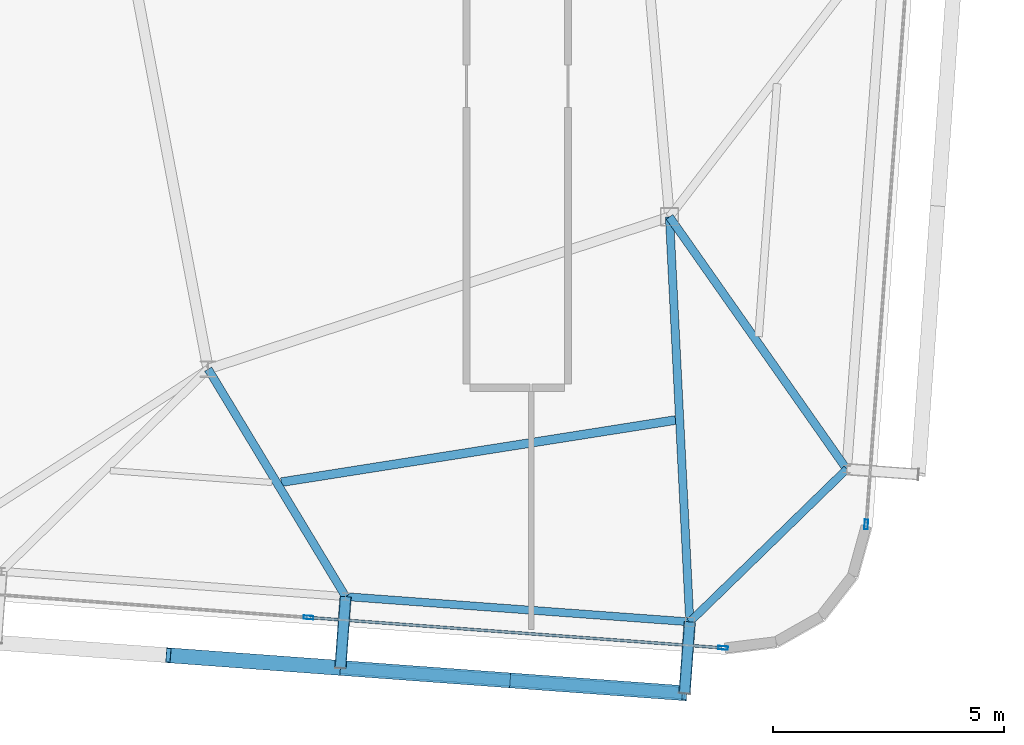
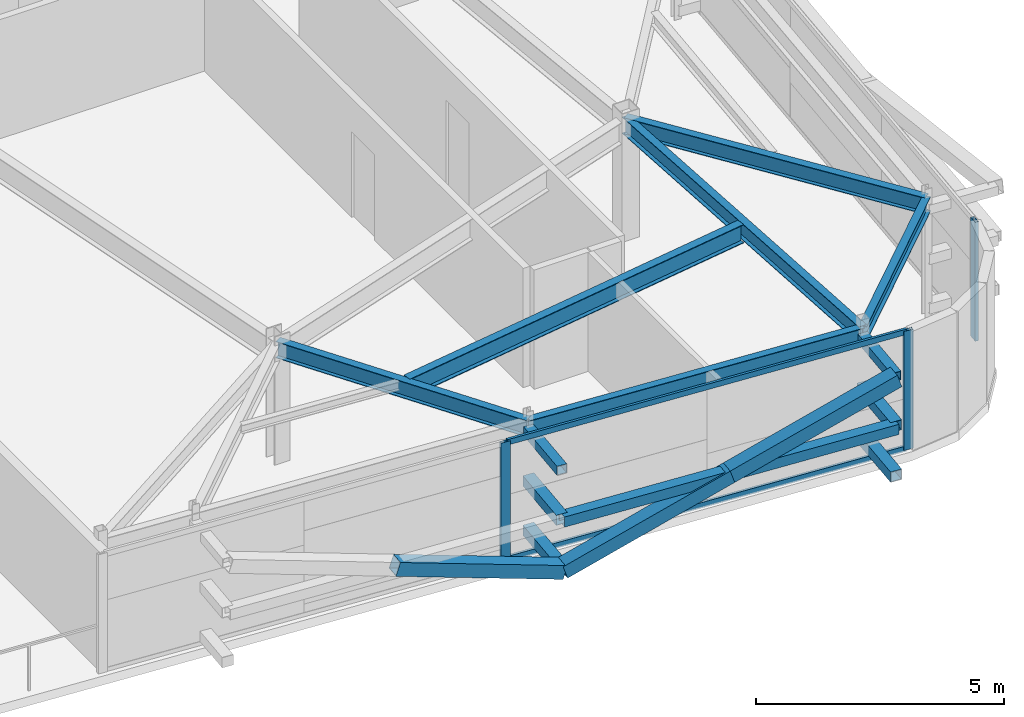
# One storey, part 16 of 36: 15 members, 6 beams, 2 elements without a shape of their own.
"""IFC4 building model written with IfcOpenShell, lengths in metres."""

from ifc_helpers import new_model, si_unit, direction, frame, origin, origin_2d, place, context, subcontext, project, spatial, hollow_rectangle, i_section, extrude, source, transform, mapped, material, layer, layer_set, material_profile, profile_set, type_object, element, aggregate, save


model = new_model("IFC4")

# Units and contexts
model_context = context("Model", 3, precision=1e-05, world=origin(), true_north=direction((0.0, 1.0)))
body_context = subcontext(model_context, "Body", "Model", "MODEL_VIEW")
ifc_project = project(units=[si_unit("LENGTHUNIT", "METRE"), si_unit("AREAUNIT", "SQUARE_METRE"), si_unit("VOLUMEUNIT", "CUBIC_METRE"), si_unit("PLANEANGLEUNIT", "RADIAN"), si_unit("MASSUNIT", "GRAM", prefix="KILO")], contexts=[model_context])

# Site, building, storey
site_placement = place(None, origin())
site = spatial("IfcSite", under=ifc_project, at=site_placement, CompositionType="ELEMENT")
building_placement = place(site_placement, origin())
building = spatial("IfcBuilding", under=site, at=building_placement, Name="Taldren Reach Tower", CompositionType="ELEMENT")
storey_placement = place(building_placement, frame((0.0, 0.0, 227.14990234375)))
storey = spatial("IfcBuildingStorey", under=building, at=storey_placement, Name="L69", CompositionType="ELEMENT", Elevation=227.14990234375)

# Members
ifc_material_1 = material(Name="Steel Gr 350 (C350L0)", Category="steel")
ifc_material_profile_1 = material_profile(ifc_material_1, hollow_rectangle(XDim=0.25, YDim=0.25, WallThickness=0.010009765625, at=origin_2d()), Name="250x250x10.0SHS")
ifc_profile_set_1 = profile_set([ifc_material_profile_1], Name="Steel Gr 350 (C350L0)")
member_type_1 = type_object("IfcMemberType", Name="MB-POST250", PredefinedType="POST", material=ifc_profile_set_1)
shared_shape_1 = source(origin(), body_context, "Body", "SweptSolid", [
    extrude(hollow_rectangle(XDim=0.25, YDim=0.25, WallThickness=0.010009765625, at=origin_2d()), origin(), (0.0, 0.0, 1.0), 1.550048828125),
])
for number, where, z_axis, x_axis, name in (
    (1, (44.980224609375, 4.26904296875, 0.22021484375), (-0.07323929162, -0.997314396849, 0.0), (0.997314396849, -0.07323929162, 0.0), "Exoskeleton base diaphragm tie strut B5-S5 L69"),
    (2, (52.440185546875, 3.72119140625, 0.22021484375), (-0.07323929162, -0.997314396849, 0.0), (0.997314396849, -0.07323929162, 0.0), "Exoskeleton base diaphragm tie strut B5-S6 L69"),
    (3, (44.980224609375, 4.26904296875, 1.43505859375), (-0.07323929162, -0.997314396849, 0.0), (0.997314396849, -0.07323929162, 0.0), "Exoskeleton mid-tier diaphragm tie B5-S5 L69"),
    (4, (52.440185546875, 3.72119140625, 1.43505859375), (-0.07323929162, -0.997314396849, 0.0), (0.997314396849, -0.07323929162, 0.0), "Exoskeleton mid-tier diaphragm tie B5-S6 L69"),
):
    element("IfcMember", number, at=place(storey_placement, frame(where, z_axis=z_axis, x_axis=x_axis)), inside=storey, type_object=member_type_1, Name=name, PredefinedType="POST", context=body_context, shape_type="MappedRepresentation", body=[
        mapped(shared_shape_1, transform((0.0, 0.0, 0.0), scale=1.0)),
    ])
ifc_material_2 = material(Name="Steel Gr 450 (C450L0)", Category="steel")
ifc_material_profile_2 = material_profile(ifc_material_2, hollow_rectangle(XDim=0.219970703125, YDim=0.219970703125, WallThickness=0.00830078125, at=origin_2d()), Name="220x220x8.2SHS")
ifc_profile_set_2 = profile_set([ifc_material_profile_2], Name="Steel Gr 450 (C450L0)")
member_type_2 = type_object("IfcMemberType", Name="MB-TIE219", PredefinedType="STRUT", material=ifc_profile_set_2)
shared_shape_2 = source(origin(), body_context, "Body", "SweptSolid", [
    extrude(hollow_rectangle(XDim=0.219970703125, YDim=0.219970703125, WallThickness=0.00830078125, at=origin_2d()), origin(), (0.0, 0.0, 1.0), 1.550048828125),
])
for number, where, z_axis, x_axis, name in (
    (5, (44.980224609375, 4.26904296875, 2.650146484375), (-0.07323929162, -0.997314396849, 0.0), (0.997314396849, -0.07323929162, 0.0), "Exoskeleton diaphragm tie strut B5-S5 L69"),
    (6, (52.440185546875, 3.72119140625, 2.650146484375), (-0.07323929162, -0.997314396849, 0.0), (0.997314396849, -0.07323929162, 0.0), "Exoskeleton diaphragm tie strut B5-S6 L69"),
):
    element("IfcMember", number, at=place(storey_placement, frame(where, z_axis=z_axis, x_axis=x_axis)), inside=storey, type_object=member_type_2, Name=name, PredefinedType="STRUT", context=body_context, shape_type="MappedRepresentation", body=[
        mapped(shared_shape_2, transform((0.0, 0.0, 0.0), scale=1.0)),
    ])

# Beams
ifc_material_3 = material(Name="Steel Gr 350 (350PLUS)", Category="steel")
ifc_material_profile_3 = material_profile(ifc_material_3, i_section(OverallWidth=0.172119140625, OverallDepth=0.35888671875, WebThickness=0.008056640625, FlangeThickness=0.012939453125, at=origin_2d()), Name="360UB56.7")
ifc_profile_set_3 = profile_set([ifc_material_profile_3], Name="Steel Gr 350 (350PLUS)")
beam_type_1 = type_object("IfcBeamType", Name="SP-UB360", PredefinedType="SPANDREL", material=ifc_profile_set_3)
shared_shape_3 = source(origin(), body_context, "Body", "SweptSolid", [
    extrude(i_section(OverallWidth=0.172119140625, OverallDepth=0.35888671875, WebThickness=0.008056640625, FlangeThickness=0.012939453125, at=origin_2d()), origin(), (0.0, 0.0, 1.0), 7.47998046875),
])
beam_1_placement = place(storey_placement, frame((44.980224609375, 4.26904296875, 2.75048828125), z_axis=(0.997314220642, -0.07324169103, 0.0), x_axis=(0.07324169103, 0.997314220642, 0.0)))
element("IfcBeam", 7, at=beam_1_placement, inside=storey, type_object=beam_type_1, Name="Perimeter spandrel B5 S5-S6 L69", PredefinedType="SPANDREL", context=body_context, shape_type="MappedRepresentation", body=[
    mapped(shared_shape_3, transform((0.0, 0.0, 0.0), scale=1.0)),
])
shared_shape_4 = source(origin(), body_context, "Body", "SweptSolid", [
    extrude(i_section(OverallWidth=0.172119140625, OverallDepth=0.35888671875, WebThickness=0.008056640625, FlangeThickness=0.012939453125, at=origin_2d()), origin(), (0.0, 0.0, 1.0), 4.74609375),
])
beam_2_placement = place(storey_placement, frame((52.440185546875, 3.72119140625, 2.75048828125), z_axis=(0.716711338436, 0.697369957309, 0.0), x_axis=(-0.697369957309, 0.716711338436, 0.0)))
element("IfcBeam", 8, at=beam_2_placement, inside=storey, type_object=beam_type_1, Name="Perimeter spandrel B5 S6-E1 L69", PredefinedType="SPANDREL", context=body_context, shape_type="MappedRepresentation", body=[
    mapped(shared_shape_4, transform((0.0, 0.0, 0.0), scale=1.0)),
])
ifc_material_profile_4 = material_profile(ifc_material_3, i_section(OverallWidth=0.177978515625, OverallDepth=0.406005859375, WebThickness=0.0078125, FlangeThickness=0.0126953125, at=origin_2d()), Name="410UB59.7")
ifc_profile_set_4 = profile_set([ifc_material_profile_4], Name="Steel Gr 350 (350PLUS)")
beam_type_2 = type_object("IfcBeamType", Name="BM-UB410", PredefinedType="BEAM", material=ifc_profile_set_4)
shared_shape_5 = source(origin(), body_context, "Body", "SweptSolid", [
    extrude(i_section(OverallWidth=0.177978515625, OverallDepth=0.406005859375, WebThickness=0.0078125, FlangeThickness=0.0126953125, at=origin_2d()), origin(), (0.0, 0.0, 1.0), 5.761474609375),
])
beam_3_placement = place(storey_placement, frame((42.0, 9.199951171875, 2.72705078125), z_axis=(0.517259852514, -0.855828396922, 0.0), x_axis=(0.855828396922, 0.517259852514, 0.0)))
element("IfcBeam", 9, at=beam_3_placement, inside=storey, type_object=beam_type_2, Name="Primary floor girder B5-S5 L69", PredefinedType="BEAM", context=body_context, shape_type="MappedRepresentation", body=[
    mapped(shared_shape_5, transform((0.0, 0.0, 0.0), scale=1.0)),
])
shared_shape_6 = source(origin(), body_context, "Body", "SweptSolid", [
    extrude(i_section(OverallWidth=0.177978515625, OverallDepth=0.406005859375, WebThickness=0.0078125, FlangeThickness=0.0126953125, at=origin_2d()), origin(), (0.0, 0.0, 1.0), 8.789794921875),
])
beam_4_placement = place(storey_placement, frame((52.0, 12.5, 2.72705078125), z_axis=(0.050078917367, -0.998745263836, 0.0), x_axis=(0.998745263836, 0.050078917367, 0.0)))
element("IfcBeam", 10, at=beam_4_placement, inside=storey, type_object=beam_type_2, Name="Primary floor girder B5-S6 L69", PredefinedType="BEAM", context=body_context, shape_type="MappedRepresentation", body=[
    mapped(shared_shape_6, transform((0.0, 0.0, 0.0), scale=1.0)),
])
shared_shape_7 = source(origin(), body_context, "Body", "SweptSolid", [
    extrude(i_section(OverallWidth=0.177978515625, OverallDepth=0.406005859375, WebThickness=0.0078125, FlangeThickness=0.0126953125, at=origin_2d()), origin(), (0.0, 0.0, 1.0), 6.68359375),
])
beam_5_placement = place(storey_placement, frame((52.0, 12.5, 2.72705078125), z_axis=(0.574817292651, -0.818281785249, 0.0), x_axis=(0.818281785249, 0.574817292651, 0.0)))
element("IfcBeam", 11, at=beam_5_placement, inside=storey, type_object=beam_type_2, Name="Primary floor girder B5-E1 L69", PredefinedType="BEAM", context=body_context, shape_type="MappedRepresentation", body=[
    mapped(shared_shape_7, transform((0.0, 0.0, 0.0), scale=1.0)),
])
ifc_material_profile_5 = material_profile(ifc_material_3, i_section(OverallWidth=0.19091796875, OverallDepth=0.4599609375, WebThickness=0.010009765625, FlangeThickness=0.01611328125, at=origin_2d()), Name="460UB82.1")
ifc_profile_set_5 = profile_set([ifc_material_profile_5], Name="Steel Gr 350 (350PLUS)")
beam_type_3 = type_object("IfcBeamType", Name="BM-UB460A", PredefinedType="BEAM", material=ifc_profile_set_5)
shared_shape_8 = source(origin(), body_context, "Body", "SweptSolid", [
    extrude(i_section(OverallWidth=0.19091796875, OverallDepth=0.4599609375, WebThickness=0.010009765625, FlangeThickness=0.01611328125, at=origin_2d()), origin(), (0.0, 0.0, 1.0), 8.65185546875),
])
beam_6_placement = place(storey_placement, frame((43.585205078125, 6.74951171875, 2.7001953125), z_axis=(0.987803200413, 0.155707537562, 0.0), x_axis=(-0.155707537562, 0.987803200413, 0.0)))
element("IfcBeam", 12, at=beam_6_placement, inside=storey, type_object=beam_type_3, Name="Secondary floor beam B5 J5 L69", PredefinedType="BEAM", context=body_context, shape_type="MappedRepresentation", body=[
    mapped(shared_shape_8, transform((0.0, 0.0, 0.0), scale=1.0)),
])

# Members
ifc_material_profile_6 = material_profile(ifc_material_2, hollow_rectangle(XDim=0.324951171875, YDim=0.324951171875, WallThickness=0.0126953125, at=origin_2d()), Name="325x325x12.7SHS")
ifc_profile_set_6 = profile_set([ifc_material_profile_6], Name="Steel Gr 450 (C450L0)")
member_type_3 = type_object("IfcMemberType", Name="MB-BR324", PredefinedType="BRACE", material=ifc_profile_set_6)
shared_shape_9 = source(origin(), body_context, "Body", "SweptSolid", [
    extrude(hollow_rectangle(XDim=0.324951171875, YDim=0.324951171875, WallThickness=0.0126953125, at=origin_2d()), origin(), (0.0, 0.0, 1.0), 3.932373046875),
])
for number, where, z_axis, x_axis, name in (
    (13, (44.86669921875, 2.72314453125, 0.22021484375), (-0.948529326954, 0.06965898055, 0.308933232813), (-0.07324169103, -0.997314220642, 0.0), "Exoskeleton Diagrid Brace B5-S3 L69"),
    (14, (44.86669921875, 2.72314453125, 0.22021484375), (0.948529326954, -0.06965898055, 0.308933232813), (0.07324169103, 0.997314220642, 0.0), "Exoskeleton Diagrid Brace B5-S4 L69"),
    (15, (48.5966796875, 2.44921875, 1.43505859375), (0.948511132845, -0.069657644394, 0.308989390507), (0.07324169103, 0.997314220642, 0.0), "Exoskeleton Diagrid Brace B5-S4 L69"),
):
    element("IfcMember", number, at=place(storey_placement, frame(where, z_axis=z_axis, x_axis=x_axis)), inside=storey, type_object=member_type_3, Name=name, PredefinedType="BRACE", context=body_context, shape_type="MappedRepresentation", body=[
        mapped(shared_shape_9, transform((0.0, 0.0, 0.0), scale=1.0)),
    ])
shared_shape_10 = source(origin(), body_context, "Body", "SweptSolid", [
    extrude(hollow_rectangle(XDim=0.25, YDim=0.25, WallThickness=0.010009765625, at=origin_2d()), origin(), (0.0, 0.0, 1.0), 7.47998046875),
])
member_1_placement = place(storey_placement, frame((44.86669921875, 2.72314453125, 1.43505859375), z_axis=(0.997314220642, -0.07324169103, 0.0), x_axis=(0.07324169103, 0.997314220642, 0.0)))
element("IfcMember", 16, at=member_1_placement, inside=storey, type_object=member_type_1, Name="Exoskeleton mid-height ring chord B5-S4 L69", PredefinedType="POST", context=body_context, shape_type="MappedRepresentation", body=[
    mapped(shared_shape_10, transform((0.0, 0.0, 0.0), scale=1.0)),
])

# Curtain wall, members
ifc_material_4 = material(Name="Aluminium and Low-E Glass Unitised System", Category="aluminium")
ifc_layer = layer(ifc_material_4, 0.159912109375)
ifc_layer_set = layer_set([ifc_layer], Name="Aluminium and Low-E Glass Unitised System")
curtain_wall_type = type_object("IfcCurtainWallType", Name="CW-SYS-7", PredefinedType="NOTDEFINED", material=ifc_layer_set)
curtain_wall_1_placement = place(storey_placement, origin())
curtain_wall_1 = element("IfcCurtainWall", 17, at=curtain_wall_1_placement, inside=storey, type_object=curtain_wall_type, Name="Unitised curtain wall CW-L69-SEWING", PredefinedType="NOTDEFINED")
ifc_material_5 = material(Name="Anodised Aluminium 6063-T6", Category="aluminium")
ifc_material_profile_7 = material_profile(ifc_material_5, hollow_rectangle(XDim=0.074951171875, YDim=0.2099609375, WallThickness=0.00439453125, at=origin_2d()), Name="ALU-210x75x4.5RHS")
ifc_profile_set_7 = profile_set([ifc_material_profile_7], Name="Anodised Aluminium 6063-T6")
member_type_4 = type_object("IfcMemberType", Name="CW-MUL-200", PredefinedType="MULLION", material=ifc_profile_set_7)
shared_shape_11 = source(origin(), body_context, "Body", "SweptSolid", [
    extrude(hollow_rectangle(XDim=0.074951171875, YDim=0.2099609375, WallThickness=0.00439453125, at=origin_2d()), origin(), (0.0, 0.0, 1.0), 2.93017578125),
])
member_2_placement = place(storey_placement, frame((44.17529296875, 3.816650390625, 0.0), z_axis=(0.0, 0.0, 1.0), x_axis=(0.073238086301, 0.997314485363, 0.0)))
member_2 = element("IfcMember", 18, at=member_2_placement, type_object=member_type_4, Name="CW-7 mullion 2", PredefinedType="MULLION", context=body_context, shape_type="MappedRepresentation", body=[
    mapped(shared_shape_11, transform((0.0, 0.0, 0.0), scale=1.0)),
])
member_3_placement = place(storey_placement, frame((53.163330078125, 3.15673828125, 0.0), z_axis=(0.0, 0.0, 1.0), x_axis=(0.073238086301, 0.997314485363, 0.0)))
member_3 = element("IfcMember", 19, at=member_3_placement, type_object=member_type_4, Name="CW-7 mullion 3", PredefinedType="MULLION", context=body_context, shape_type="MappedRepresentation", body=[
    mapped(shared_shape_11, transform((0.0, 0.0, 0.0), scale=1.0)),
])

# Curtain wall, member
curtain_wall_2_placement = place(storey_placement, origin())
curtain_wall_2 = element("IfcCurtainWall", 20, at=curtain_wall_2_placement, inside=storey, type_object=curtain_wall_type, Name="Unitised curtain wall CW-L69-E", PredefinedType="NOTDEFINED")
member_4_placement = place(storey_placement, frame((56.26513671875, 5.834228515625, 0.0), z_axis=(0.0, 0.0, 1.0), x_axis=(-0.997314470951, 0.073238282558, 0.0)))
member_4 = element("IfcMember", 21, at=member_4_placement, type_object=member_type_4, Name="CW-7 mullion 1", PredefinedType="MULLION", context=body_context, shape_type="MappedRepresentation", body=[
    mapped(shared_shape_11, transform((0.0, 0.0, 0.0), scale=1.0)),
])
aggregate(curtain_wall_2, [member_4])

# Member
ifc_material_profile_8 = material_profile(ifc_material_5, hollow_rectangle(XDim=0.06005859375, YDim=0.135009765625, WallThickness=0.00341796875, at=origin_2d()), Name="ALU-135x60x3.5RHS")
ifc_profile_set_8 = profile_set([ifc_material_profile_8], Name="Anodised Aluminium 6063-T6")
member_type_5 = type_object("IfcMemberType", Name="CW-TRN-150", PredefinedType="USERDEFINED", material=ifc_profile_set_8)
shared_shape_12 = source(origin(), body_context, "Body", "SweptSolid", [
    extrude(hollow_rectangle(XDim=0.06005859375, YDim=0.135009765625, WallThickness=0.00341796875, at=origin_2d()), origin(), (0.0, 0.0, 1.0), 8.937255859375),
])
member_5_placement = place(storey_placement, frame((44.212646484375, 3.81396484375, 0.030029296875), z_axis=(0.997314583709, -0.073236747074, 0.0), x_axis=(0.073236747074, 0.997314583709, 0.0)))
member_5 = element("IfcMember", 22, at=member_5_placement, type_object=member_type_5, Name="CW-7 transom 2.1", ObjectType="TRANSOM", PredefinedType="USERDEFINED", context=body_context, shape_type="MappedRepresentation", body=[
    mapped(shared_shape_12, transform((0.0, 0.0, 0.0), scale=1.0)),
])

member_6_placement = place(storey_placement, frame((44.212646484375, 3.81396484375, 2.900146484375), z_axis=(0.997314583709, -0.073236747074, 0.0), x_axis=(0.073236747074, 0.997314583709, 0.0)))
member_6 = element("IfcMember", 23, at=member_6_placement, type_object=member_type_5, Name="CW-7 transom 2.2", ObjectType="TRANSOM", PredefinedType="USERDEFINED", context=body_context, shape_type="MappedRepresentation", body=[
    mapped(shared_shape_12, transform((0.0, 0.0, 0.0), scale=1.0)),
])

aggregate(curtain_wall_1, [member_2, member_3, member_5, member_6])

save(model, "model.ifc")
